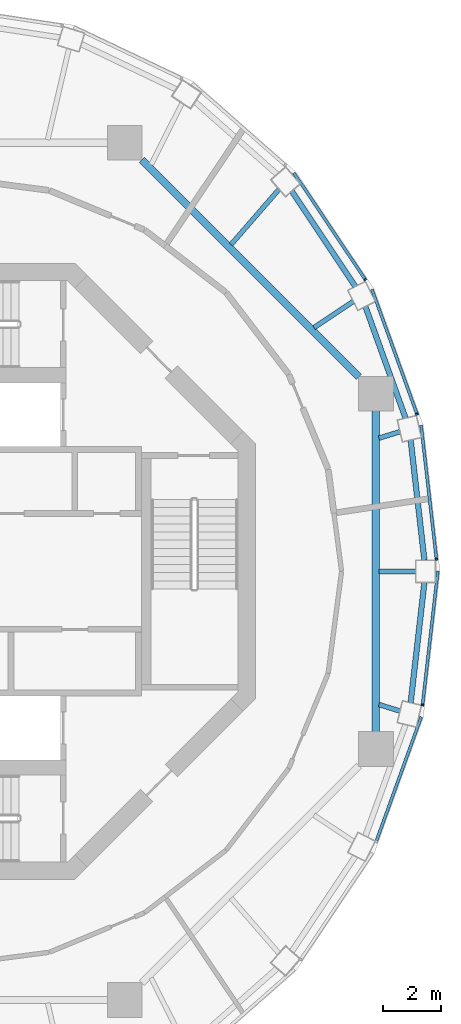
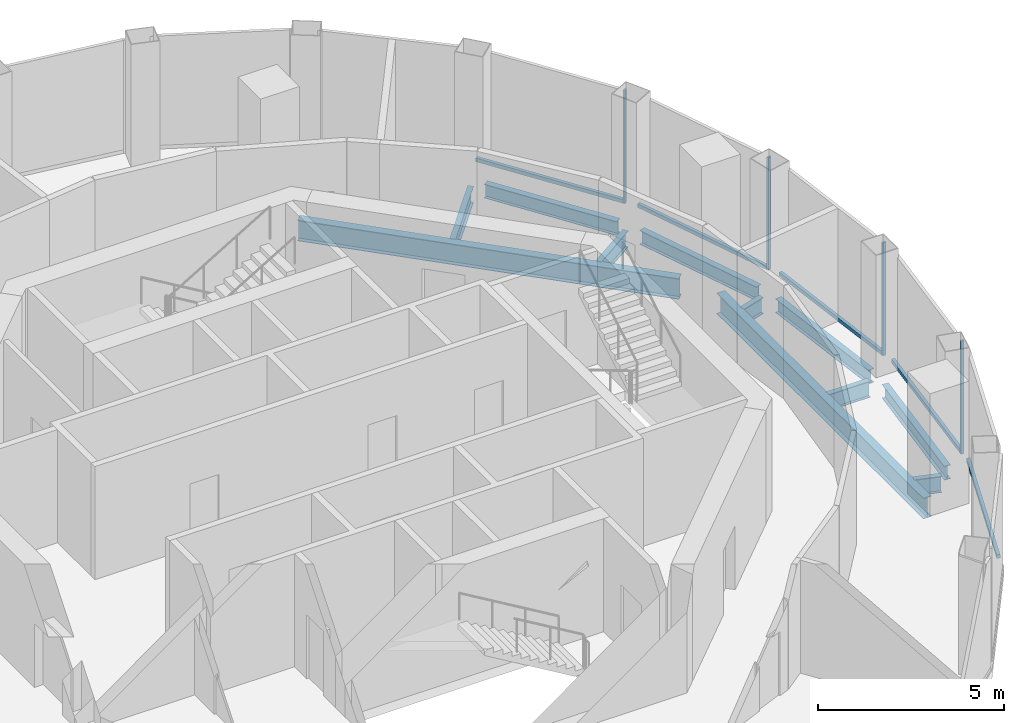
# One storey, part 5 of 11: 11 beams, 9 members, 5 elements without a shape of their own.
"""IFC4 building model written with IfcOpenShell, lengths in metres."""

from ifc_helpers import new_model, si_unit, direction, frame, origin, origin_2d, place, context, subcontext, project, spatial, rectangle, i_section, extrude, material, layer, layer_set, material_profile, profile_set, type_object, element, aggregate, save


model = new_model("IFC4")

# Units and contexts
model_context = context("Model", 3, precision=1e-05, world=origin(), true_north=direction((0.0, 1.0)))
body_context = subcontext(model_context, "Body", "Model", "MODEL_VIEW")
ifc_project = project(units=[si_unit("LENGTHUNIT", "METRE"), si_unit("AREAUNIT", "SQUARE_METRE"), si_unit("VOLUMEUNIT", "CUBIC_METRE"), si_unit("PLANEANGLEUNIT", "RADIAN"), si_unit("MASSUNIT", "GRAM", prefix="KILO")], contexts=[model_context])

# Site, building, storey
site_placement = place(None, origin())
site = spatial("IfcSite", under=ifc_project, at=site_placement, CompositionType="ELEMENT")
building_placement = place(site_placement, origin())
building = spatial("IfcBuilding", under=site, at=building_placement, Name="Nagisa Residences", CompositionType="ELEMENT")
storey_placement = place(building_placement, frame((0.0, 0.0, 332.89990234375)))
storey = spatial("IfcBuildingStorey", under=building, at=storey_placement, Name="L82", CompositionType="ELEMENT", Elevation=332.89990234375)

# Curtain wall, member
ifc_material_1 = material(Name="Aluminium curtain wall system", Category="aluminium")
ifc_layer = layer(ifc_material_1, 0.159912109375)
ifc_layer_set = layer_set([ifc_layer], Name="CW5 CURTAIN WALL")
curtain_wall_type = type_object("IfcCurtainWallType", Name="CW5 CURTAIN WALL", PredefinedType="NOTDEFINED", material=ifc_layer_set)
curtain_wall_1_placement = place(storey_placement, origin())
curtain_wall_1 = element("IfcCurtainWall", 1, at=curtain_wall_1_placement, inside=storey, type_object=curtain_wall_type, Name="cw:CW5:L82:00", PredefinedType="NOTDEFINED")
ifc_material_2 = material(Name="Aluminium", Category="aluminium")
ifc_material_profile_1 = material_profile(ifc_material_2, rectangle(XDim=0.10009765625, YDim=0.06005859375, at=origin_2d()), Name="CW5 MULLION 100x60")
ifc_profile_set_1 = profile_set([ifc_material_profile_1], Name="Aluminium")
member_type_1 = type_object("IfcMemberType", Name="CW5 MULLION 100x60", PredefinedType="MULLION", material=ifc_profile_set_1)
member_1_placement = place(storey_placement, frame((16.87158203125, 0.41796875, 0.0), z_axis=(0.0, 0.0, 1.0), x_axis=(-0.993477835048, -0.114025397474, 0.0)))
member_1 = element("IfcMember", 2, at=member_1_placement, type_object=member_type_1, Name="CW5 mullion", PredefinedType="MULLION", context=body_context, shape_type="SweptSolid", body=[
    extrude(rectangle(XDim=0.10009765625, YDim=0.06005859375, at=origin_2d()), origin(), (0.0, 0.0, 1.0), 3.7001953125),
])

curtain_wall_2_placement = place(storey_placement, origin())
curtain_wall_2 = element("IfcCurtainWall", 3, at=curtain_wall_2_placement, inside=storey, type_object=curtain_wall_type, Name="cw:CW5:L82:01", PredefinedType="NOTDEFINED")
member_2_placement = place(storey_placement, frame((16.199462890625, 5.42431640625, 0.0), z_axis=(0.0, 0.0, 1.0), x_axis=(-0.940554456033, -0.339642923136, 0.0)))
member_2 = element("IfcMember", 4, at=member_2_placement, type_object=member_type_1, Name="CW5 mullion", PredefinedType="MULLION", context=body_context, shape_type="SweptSolid", body=[
    extrude(rectangle(XDim=0.10009765625, YDim=0.06005859375, at=origin_2d()), origin(), (0.0, 0.0, 1.0), 3.7001953125),
])

curtain_wall_3_placement = place(storey_placement, origin())
curtain_wall_3 = element("IfcCurtainWall", 5, at=curtain_wall_3_placement, inside=storey, type_object=curtain_wall_type, Name="cw:CW5:L82:02", PredefinedType="NOTDEFINED")
member_3_placement = place(storey_placement, frame((14.416748046875, 10.06298828125, 0.0), z_axis=(0.0, 0.0, 1.0), x_axis=(-0.831172662415, -0.556014393027, 0.0)))
member_3 = element("IfcMember", 6, at=member_3_placement, type_object=member_type_1, Name="CW5 mullion", PredefinedType="MULLION", context=body_context, shape_type="SweptSolid", body=[
    extrude(rectangle(XDim=0.10009765625, YDim=0.06005859375, at=origin_2d()), origin(), (0.0, 0.0, 1.0), 3.7001953125),
])

curtain_wall_4_placement = place(storey_placement, origin())
curtain_wall_4 = element("IfcCurtainWall", 7, at=curtain_wall_4_placement, inside=storey, type_object=curtain_wall_type, Name="cw:CW5:L82:23", PredefinedType="NOTDEFINED")
member_4_placement = place(storey_placement, frame((16.390380859375, -4.610595703125, 0.0), z_axis=(0.0, 0.0, 1.0), x_axis=(-0.993477835048, 0.114025397474, 0.0)))
member_4 = element("IfcMember", 8, at=member_4_placement, type_object=member_type_1, Name="CW5 mullion", PredefinedType="MULLION", context=body_context, shape_type="SweptSolid", body=[
    extrude(rectangle(XDim=0.10009765625, YDim=0.06005859375, at=origin_2d()), origin(), (0.0, 0.0, 1.0), 3.7001953125),
])

# Member
ifc_material_3 = material(Name="Aluminium", Category="aluminium")
ifc_material_profile_2 = material_profile(ifc_material_3, rectangle(XDim=0.10009765625, YDim=0.1201171875, at=origin_2d()), Name="CW5 TRANSOM 100x120")
ifc_profile_set_2 = profile_set([ifc_material_profile_2], Name="Aluminium")
member_type_2 = type_object("IfcMemberType", Name="CW5 TRANSOM 100x120", PredefinedType="USERDEFINED", material=ifc_profile_set_2)
member_5_placement = place(storey_placement, frame((16.875, 0.38818359375, 0.06005859375), z_axis=(-0.114032075188, 0.993477068597, 0.0), x_axis=(-0.993477068597, -0.114032075188, 0.0)))
member_5 = element("IfcMember", 9, at=member_5_placement, type_object=member_type_2, Name="CW5 transom", ObjectType="TRANSOM", PredefinedType="USERDEFINED", context=body_context, shape_type="SweptSolid", body=[
    extrude(rectangle(XDim=0.10009765625, YDim=0.1201171875, at=origin_2d()), origin(), (0.0, 0.0, 1.0), 4.68017578125),
])

aggregate(curtain_wall_1, [member_1, member_5])

member_6_placement = place(storey_placement, frame((16.209716796875, 5.39599609375, 0.06005859375), z_axis=(-0.339645767878, 0.940553428766, 0.0), x_axis=(-0.940553428766, -0.339645767878, 0.0)))
member_6 = element("IfcMember", 10, at=member_6_placement, type_object=member_type_2, Name="CW5 transom", ObjectType="TRANSOM", PredefinedType="USERDEFINED", context=body_context, shape_type="SweptSolid", body=[
    extrude(rectangle(XDim=0.10009765625, YDim=0.1201171875, at=origin_2d()), origin(), (0.0, 0.0, 1.0), 4.600341796875),
])

aggregate(curtain_wall_2, [member_2, member_6])

member_7_placement = place(storey_placement, frame((14.43359375, 10.0380859375, 0.06005859375), z_axis=(-0.556026221044, 0.831164749921, 0.0), x_axis=(-0.831164749921, -0.556026221044, 0.0)))
member_7 = element("IfcMember", 11, at=member_7_placement, type_object=member_type_2, Name="CW5 transom", ObjectType="TRANSOM", PredefinedType="USERDEFINED", context=body_context, shape_type="SweptSolid", body=[
    extrude(rectangle(XDim=0.10009765625, YDim=0.1201171875, at=origin_2d()), origin(), (0.0, 0.0, 1.0), 4.458984375),
])

aggregate(curtain_wall_3, [member_3, member_7])

# Curtain wall, member
curtain_wall_5_placement = place(storey_placement, origin())
curtain_wall_5 = element("IfcCurtainWall", 12, at=curtain_wall_5_placement, inside=storey, type_object=curtain_wall_type, Name="cw:CW5:L82:22", PredefinedType="NOTDEFINED")
member_8_placement = place(storey_placement, frame((14.782958984375, -9.3466796875, 0.06005859375), z_axis=(0.339645767878, 0.940553428766, 0.0), x_axis=(-0.940553428766, 0.339645767878, 0.0)))
member_8 = element("IfcMember", 13, at=member_8_placement, type_object=member_type_2, Name="CW5 transom", ObjectType="TRANSOM", PredefinedType="USERDEFINED", context=body_context, shape_type="SweptSolid", body=[
    extrude(rectangle(XDim=0.10009765625, YDim=0.1201171875, at=origin_2d()), origin(), (0.0, 0.0, 1.0), 4.600341796875),
])
aggregate(curtain_wall_5, [member_8])

# Member
member_9_placement = place(storey_placement, frame((16.386962890625, -4.640380859375, 0.06005859375), z_axis=(0.11398649568, 0.993482299189, 0.0), x_axis=(-0.993482299189, 0.11398649568, 0.0)))
member_9 = element("IfcMember", 14, at=member_9_placement, type_object=member_type_2, Name="CW5 transom", ObjectType="TRANSOM", PredefinedType="USERDEFINED", context=body_context, shape_type="SweptSolid", body=[
    extrude(rectangle(XDim=0.10009765625, YDim=0.1201171875, at=origin_2d()), origin(), (0.0, 0.0, 1.0), 4.679931640625),
])

aggregate(curtain_wall_4, [member_4, member_9])

# Beams
ifc_material_4 = material(Name="Steel ASTM A572 Gr 50", Category="steel")
ifc_material_profile_3 = material_profile(ifc_material_4, i_section(OverallWidth=0.2529296875, OverallDepth=0.677978515625, WebThickness=0.01171875, FlangeThickness=0.016357421875, at=origin_2d()), Name="W690x125")
ifc_profile_set_3 = profile_set([ifc_material_profile_3], Name="Steel ASTM A572 Gr 50")
beam_type_1 = type_object("IfcBeamType", Name="Inner ring beam W690x125", PredefinedType="BEAM", material=ifc_profile_set_3)
beam_1_placement = place(storey_placement, frame((14.1962890625, 6.708740234375, -0.638916015625), z_axis=(-0.707106781187, 0.707106781187, 0.0), x_axis=(-0.707106781187, -0.707106781187, 0.0)))
element("IfcBeam", 15, at=beam_1_placement, inside=storey, type_object=beam_type_1, Name="beam:L82:ib1", PredefinedType="BEAM", context=body_context, shape_type="SweptSolid", body=[
    extrude(i_section(OverallWidth=0.2529296875, OverallDepth=0.677978515625, WebThickness=0.01171875, FlangeThickness=0.016357421875, at=origin_2d()), origin(), (0.0, 0.0, 1.0), 10.589111328125),
])
beam_2_placement = place(storey_placement, frame((14.781982421875, -5.54296875, -0.638916015625), z_axis=(0.0, 1.0, 0.0), x_axis=(-1.0, 0.0, 0.0)))
element("IfcBeam", 16, at=beam_2_placement, inside=storey, type_object=beam_type_1, Name="beam:L82:ib8", PredefinedType="BEAM", context=body_context, shape_type="SweptSolid", body=[
    extrude(i_section(OverallWidth=0.2529296875, OverallDepth=0.677978515625, WebThickness=0.01171875, FlangeThickness=0.016357421875, at=origin_2d()), origin(), (0.0, 0.0, 1.0), 11.0859375),
])
ifc_material_5 = material(Name="Steel ASTM A572 Gr 50", Category="steel")
ifc_material_profile_4 = material_profile(ifc_material_5, i_section(OverallWidth=0.18994140625, OverallDepth=0.45703125, WebThickness=0.009033203125, FlangeThickness=0.014404296875, at=origin_2d()), Name="W460x74")
ifc_profile_set_4 = profile_set([ifc_material_profile_4], Name="Steel ASTM A572 Gr 50")
beam_type_2 = type_object("IfcBeamType", Name="Perimeter ring beam W460x74", PredefinedType="BEAM", material=ifc_profile_set_4)
beam_3_placement = place(storey_placement, frame((16.45654296875, 0.380126953125, -0.5283203125), z_axis=(-0.113600894263, 0.993526465084, 0.0), x_axis=(-0.993526465084, -0.113600894263, 0.0)))
element("IfcBeam", 17, at=beam_3_placement, inside=storey, type_object=beam_type_2, Name="beam:L82:pb01", PredefinedType="BEAM", context=body_context, shape_type="SweptSolid", body=[
    extrude(i_section(OverallWidth=0.18994140625, OverallDepth=0.45703125, WebThickness=0.009033203125, FlangeThickness=0.014404296875, at=origin_2d()), origin(), (0.0, 0.0, 1.0), 4.184326171875),
])
beam_4_placement = place(storey_placement, frame((15.808349609375, 5.277587890625, -0.5283203125), z_axis=(-0.338517252251, 0.940960185092, 0.0), x_axis=(-0.940960185092, -0.338517252251, 0.0)))
element("IfcBeam", 18, at=beam_4_placement, inside=storey, type_object=beam_type_2, Name="beam:L82:pb02", PredefinedType="BEAM", context=body_context, shape_type="SweptSolid", body=[
    extrude(i_section(OverallWidth=0.18994140625, OverallDepth=0.45703125, WebThickness=0.009033203125, FlangeThickness=0.014404296875, at=origin_2d()), origin(), (0.0, 0.0, 1.0), 4.1044921875),
])
beam_5_placement = place(storey_placement, frame((14.0771484375, 9.818603515625, -0.5283203125), z_axis=(-0.554529560082, 0.832164026497, 0.0), x_axis=(-0.832164026497, -0.554529560082, 0.0)))
element("IfcBeam", 19, at=beam_5_placement, inside=storey, type_object=beam_type_2, Name="beam:L82:pb03", PredefinedType="BEAM", context=body_context, shape_type="SweptSolid", body=[
    extrude(i_section(OverallWidth=0.18994140625, OverallDepth=0.45703125, WebThickness=0.009033203125, FlangeThickness=0.014404296875, at=origin_2d()), origin(), (0.0, 0.0, 1.0), 3.96240234375),
])
beam_6_placement = place(storey_placement, frame((15.981201171875, -4.537353515625, -0.5283203125), z_axis=(0.113600894263, 0.993526465084, 0.0), x_axis=(-0.993526465084, 0.113600894263, 0.0)))
element("IfcBeam", 20, at=beam_6_placement, inside=storey, type_object=beam_type_2, Name="beam:L82:pb24", PredefinedType="BEAM", context=body_context, shape_type="SweptSolid", body=[
    extrude(i_section(OverallWidth=0.18994140625, OverallDepth=0.45703125, WebThickness=0.009033203125, FlangeThickness=0.014404296875, at=origin_2d()), origin(), (0.0, 0.0, 1.0), 4.184326171875),
])
ifc_material_6 = material(Name="Steel ASTM A572 Gr 50", Category="steel")
ifc_material_profile_5 = material_profile(ifc_material_6, i_section(OverallWidth=0.166015625, OverallDepth=0.534912109375, WebThickness=0.01025390625, FlangeThickness=0.0166015625, at=origin_2d()), Name="W530x85")
ifc_profile_set_5 = profile_set([ifc_material_profile_5], Name="Steel ASTM A572 Gr 50")
beam_type_3 = type_object("IfcBeamType", Name="Radial beam W530x85", PredefinedType="BEAM", material=ifc_profile_set_5)
beam_7_placement = place(storey_placement, frame((16.169921875, 0.0, -0.5673828125), z_axis=(-1.0, 0.0, 0.0), x_axis=(0.0, -1.0, 0.0)))
element("IfcBeam", 21, at=beam_7_placement, inside=storey, type_object=beam_type_3, Name="beam:L82:rb01", PredefinedType="BEAM", context=body_context, shape_type="SweptSolid", body=[
    extrude(i_section(OverallWidth=0.166015625, OverallDepth=0.534912109375, WebThickness=0.01025390625, FlangeThickness=0.0166015625, at=origin_2d()), origin(), (0.0, 0.0, 1.0), 1.28125),
])
beam_8_placement = place(storey_placement, frame((15.62158203125, 4.820068359375, -0.5673828125), z_axis=(-0.955489220567, -0.295026014753, 0.0), x_axis=(0.295026014753, -0.955489220567, 0.0)))
element("IfcBeam", 22, at=beam_8_placement, inside=storey, type_object=beam_type_3, Name="beam:L82:rb02", PredefinedType="BEAM", context=body_context, shape_type="SweptSolid", body=[
    extrude(i_section(OverallWidth=0.166015625, OverallDepth=0.534912109375, WebThickness=0.01025390625, FlangeThickness=0.0166015625, at=origin_2d()), origin(), (0.0, 0.0, 1.0), 0.766357421875),
])
beam_9_placement = place(storey_placement, frame((14.012451171875, 9.31591796875, -0.5673828125), z_axis=(-0.832714310154, -0.553702878505, 0.0), x_axis=(0.553702878505, -0.832714310154, 0.0)))
element("IfcBeam", 23, at=beam_9_placement, inside=storey, type_object=beam_type_3, Name="beam:L82:rb03", PredefinedType="BEAM", context=body_context, shape_type="SweptSolid", body=[
    extrude(i_section(OverallWidth=0.166015625, OverallDepth=0.534912109375, WebThickness=0.01025390625, FlangeThickness=0.0166015625, at=origin_2d()), origin(), (0.0, 0.0, 1.0), 1.638916015625),
])
beam_10_placement = place(storey_placement, frame((11.44873046875, 13.183349609375, -0.5673828125), z_axis=(-0.655718438616, -0.755005516045, 0.0), x_axis=(0.755005516045, -0.655718438616, 0.0)))
element("IfcBeam", 24, at=beam_10_placement, inside=storey, type_object=beam_type_3, Name="beam:L82:rb04", PredefinedType="BEAM", context=body_context, shape_type="SweptSolid", body=[
    extrude(i_section(OverallWidth=0.166015625, OverallDepth=0.534912109375, WebThickness=0.01025390625, FlangeThickness=0.0166015625, at=origin_2d()), origin(), (0.0, 0.0, 1.0), 2.53515625),
])
beam_11_placement = place(storey_placement, frame((15.62158203125, -4.820068359375, -0.5673828125), z_axis=(-0.955489220567, 0.295026014753, 0.0), x_axis=(-0.295026014753, -0.955489220567, 0.0)))
element("IfcBeam", 25, at=beam_11_placement, inside=storey, type_object=beam_type_3, Name="beam:L82:rb24", PredefinedType="BEAM", context=body_context, shape_type="SweptSolid", body=[
    extrude(i_section(OverallWidth=0.166015625, OverallDepth=0.534912109375, WebThickness=0.01025390625, FlangeThickness=0.0166015625, at=origin_2d()), origin(), (0.0, 0.0, 1.0), 0.766357421875),
])

save(model, "model.ifc")
